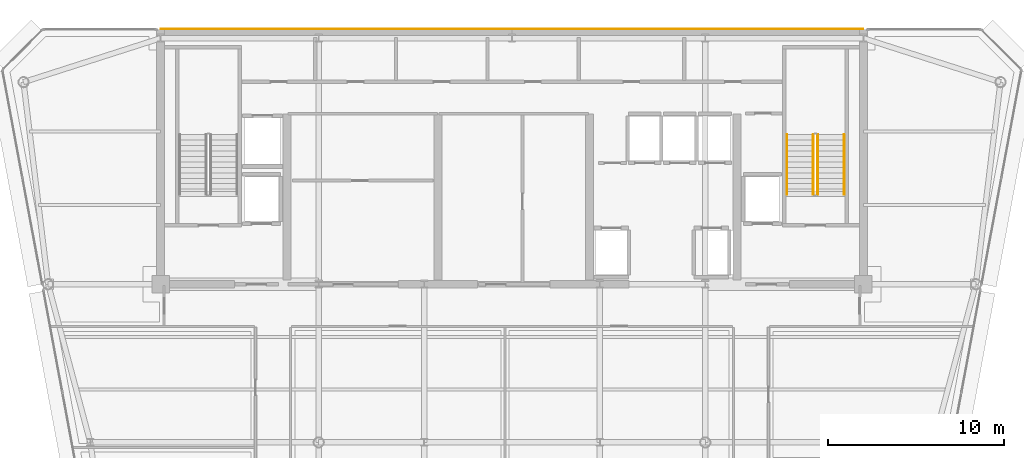
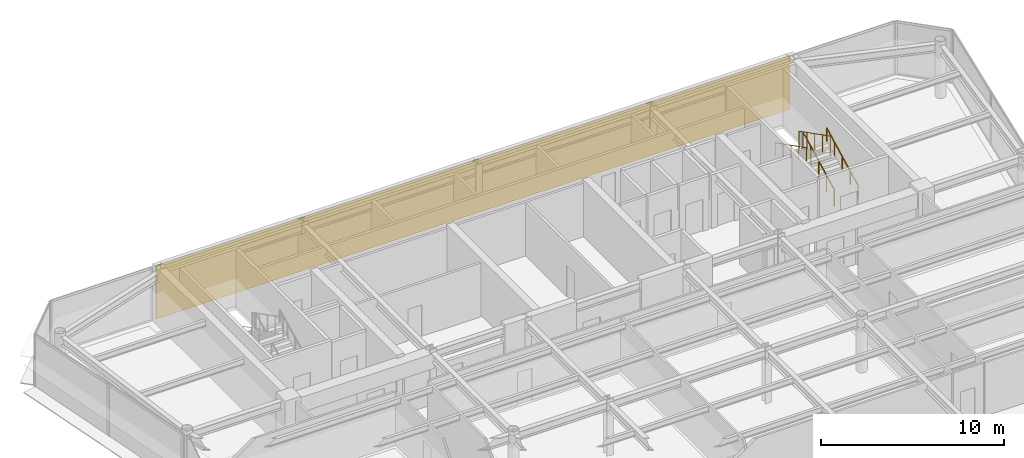
# One storey, part 18 of 19: 4 railings, 1 covering.
"""IFC4 building model written with IfcOpenShell, lengths in metres."""

from ifc_helpers import new_model, si_unit, direction, frame, origin, origin_2d, place, context, subcontext, project, spatial, polyline, circle, outline, extrude, material, layer, layer_set, type_object, element, save


model = new_model("IFC4")

# Units and contexts
model_context = context("Model", 3, precision=1e-05, world=origin(), true_north=direction((0.0, 1.0)))
body_context = subcontext(model_context, "Body", "Model", "MODEL_VIEW")
ifc_project = project(units=[si_unit("LENGTHUNIT", "METRE"), si_unit("AREAUNIT", "SQUARE_METRE"), si_unit("VOLUMEUNIT", "CUBIC_METRE"), si_unit("PLANEANGLEUNIT", "RADIAN"), si_unit("MASSUNIT", "GRAM", prefix="KILO")], contexts=[model_context])

# Site, building, storey
site_placement = place(None, origin())
site = spatial("IfcSite", under=ifc_project, at=site_placement, CompositionType="ELEMENT")
building_placement = place(site_placement, origin())
building = spatial("IfcBuilding", under=site, at=building_placement, Name="Vaeldorn Concourse Tower", CompositionType="ELEMENT")
storey_placement = place(building_placement, frame((0.0, 0.0, 249.800048828125)))
storey = spatial("IfcBuildingStorey", under=building, at=storey_placement, Name="L64", CompositionType="ELEMENT", Elevation=249.800048828125)

# Covering
ifc_material = material(Name="Anodised Bronze Aluminium", Category="aluminium")
ifc_layer = layer(ifc_material, 0.050048828125)
ifc_layer_set = layer_set([ifc_layer], Name="Anodised Bronze Aluminium")
covering_type = type_object("IfcCoveringType", Name="COV-CLAD-BRONZE", PredefinedType="CLADDING", material=ifc_layer_set)
covering_placement = place(storey_placement, origin())
element("IfcCovering", 1, at=covering_placement, inside=storey, type_object=covering_type, Name="Rear Core Bronze Spandrel Cladding L64", PredefinedType="CLADDING", context=body_context, shape_type="SweptSolid", body=[
    extrude(outline(polyline([(14.0, 51.0), (54.0, 51.0), (54.0, 51.050048828125), (14.0, 51.050048828125), (14.0, 51.0)])), origin(), (0.0, 0.0, 1.0), 3.579833984375),
])

# Railings
railing_type_1 = type_object("IfcRailingType", Name="RL-STAIR-GUARD", PredefinedType="GUARDRAIL", material=ifc_material)
railing_1_placement = place(storey_placement, frame((51.39990234375, 41.60009765625, 0.158203125)))
element("IfcRailing", 2, at=railing_1_placement, inside=storey, type_object=railing_type_1, Name="L64 ST-2 stair guard 1", PredefinedType="GUARDRAIL", context=body_context, shape_type="SweptSolid", body=[
    extrude(circle(Radius=0.02392578125, at=origin_2d()), frame((0.0, 0.0, 1.1259765625), z_axis=(0.0, 0.890555807335, 0.454873997962), x_axis=(-1.0, 0.0, 0.0)), (0.0, 0.0, 1.0), 3.828857421875),
    extrude(circle(Radius=0.02099609375, at=origin_2d()), origin(), (0.0, 0.0, 1.0), 1.101806640625),
    extrude(circle(Radius=0.02099609375, at=origin_2d()), frame((0.0, 0.8525390625, 0.435546875)), (0.0, 0.0, 1.0), 1.101806640625),
    extrude(circle(Radius=0.02099609375, at=origin_2d()), frame((0.0, 1.705078125, 0.870849609375)), (0.0, 0.0, 1.0), 1.101806640625),
    extrude(circle(Radius=0.02099609375, at=origin_2d()), frame((0.0, 2.557373046875, 1.30615234375)), (0.0, 0.0, 1.0), 1.101806640625),
    extrude(circle(Radius=0.02099609375, at=origin_2d()), frame((0.0, 3.409912109375, 1.74169921875)), (0.0, 0.0, 1.0), 1.101806640625),
])
railing_2_placement = place(storey_placement, frame((51.14990234375, 45.010009765625, 2.058349609375)))
element("IfcRailing", 3, at=railing_2_placement, inside=storey, type_object=railing_type_1, Name="L64 ST-2 stair guard 3", PredefinedType="GUARDRAIL", context=body_context, shape_type="SweptSolid", body=[
    extrude(circle(Radius=0.02392578125, at=origin_2d()), frame((0.0, 0.0, 1.1259765625), z_axis=(0.0, -0.890555807335, 0.454873997962), x_axis=(1.0, 0.0, 0.0)), (0.0, 0.0, 1.0), 3.828857421875),
    extrude(circle(Radius=0.02099609375, at=origin_2d()), origin(), (0.0, 0.0, 1.0), 1.101806640625),
    extrude(circle(Radius=0.02099609375, at=origin_2d()), frame((0.0, -0.8525390625, 0.435546875)), (0.0, 0.0, 1.0), 1.101806640625),
    extrude(circle(Radius=0.02099609375, at=origin_2d()), frame((0.0, -1.705078125, 0.870849609375)), (0.0, 0.0, 1.0), 1.101806640625),
    extrude(circle(Radius=0.02099609375, at=origin_2d()), frame((0.0, -2.557373046875, 1.30615234375)), (0.0, 0.0, 1.0), 1.101806640625),
    extrude(circle(Radius=0.02099609375, at=origin_2d()), frame((0.0, -3.409912109375, 1.74169921875)), (0.0, 0.0, 1.0), 1.101806640625),
])
railing_type_2 = type_object("IfcRailingType", Name="RL-STAIR-HANDRAIL", PredefinedType="HANDRAIL", material=ifc_material)
railing_3_placement = place(storey_placement, frame((52.89990234375, 41.60009765625, 0.158203125)))
element("IfcRailing", 4, at=railing_3_placement, inside=storey, type_object=railing_type_2, Name="L64 ST-2 stair handrail 1", PredefinedType="HANDRAIL", context=body_context, shape_type="SweptSolid", body=[
    extrude(circle(Radius=0.02392578125, at=origin_2d()), frame((0.0, 0.0, 0.8759765625), z_axis=(0.0, 0.890555807335, 0.454873997962), x_axis=(-1.0, 0.0, 0.0)), (0.0, 0.0, 1.0), 3.828857421875),
    extrude(circle(Radius=0.02099609375, at=origin_2d()), origin(), (0.0, 0.0, 1.0), 0.851806640625),
    extrude(circle(Radius=0.02099609375, at=origin_2d()), frame((0.0, 0.8525390625, 0.435546875)), (0.0, 0.0, 1.0), 0.851806640625),
    extrude(circle(Radius=0.02099609375, at=origin_2d()), frame((0.0, 1.705078125, 0.870849609375)), (0.0, 0.0, 1.0), 0.851806640625),
    extrude(circle(Radius=0.02099609375, at=origin_2d()), frame((0.0, 2.557373046875, 1.30615234375)), (0.0, 0.0, 1.0), 0.851806640625),
    extrude(circle(Radius=0.02099609375, at=origin_2d()), frame((0.0, 3.409912109375, 1.74169921875)), (0.0, 0.0, 1.0), 0.851806640625),
])
railing_4_placement = place(storey_placement, frame((49.64990234375, 45.010009765625, 2.058349609375)))
element("IfcRailing", 5, at=railing_4_placement, inside=storey, type_object=railing_type_2, Name="L64 ST-2 stair handrail 2", PredefinedType="HANDRAIL", context=body_context, shape_type="SweptSolid", body=[
    extrude(circle(Radius=0.02392578125, at=origin_2d()), frame((0.0, 0.0, 0.8759765625), z_axis=(0.0, -0.890555807335, 0.454873997962), x_axis=(1.0, 0.0, 0.0)), (0.0, 0.0, 1.0), 3.828857421875),
    extrude(circle(Radius=0.02099609375, at=origin_2d()), origin(), (0.0, 0.0, 1.0), 0.851806640625),
    extrude(circle(Radius=0.02099609375, at=origin_2d()), frame((0.0, -0.8525390625, 0.435546875)), (0.0, 0.0, 1.0), 0.851806640625),
    extrude(circle(Radius=0.02099609375, at=origin_2d()), frame((0.0, -1.705078125, 0.870849609375)), (0.0, 0.0, 1.0), 0.851806640625),
    extrude(circle(Radius=0.02099609375, at=origin_2d()), frame((0.0, -2.557373046875, 1.30615234375)), (0.0, 0.0, 1.0), 0.851806640625),
    extrude(circle(Radius=0.02099609375, at=origin_2d()), frame((0.0, -3.409912109375, 1.74169921875)), (0.0, 0.0, 1.0), 0.851806640625),
])

save(model, "model.ifc")
